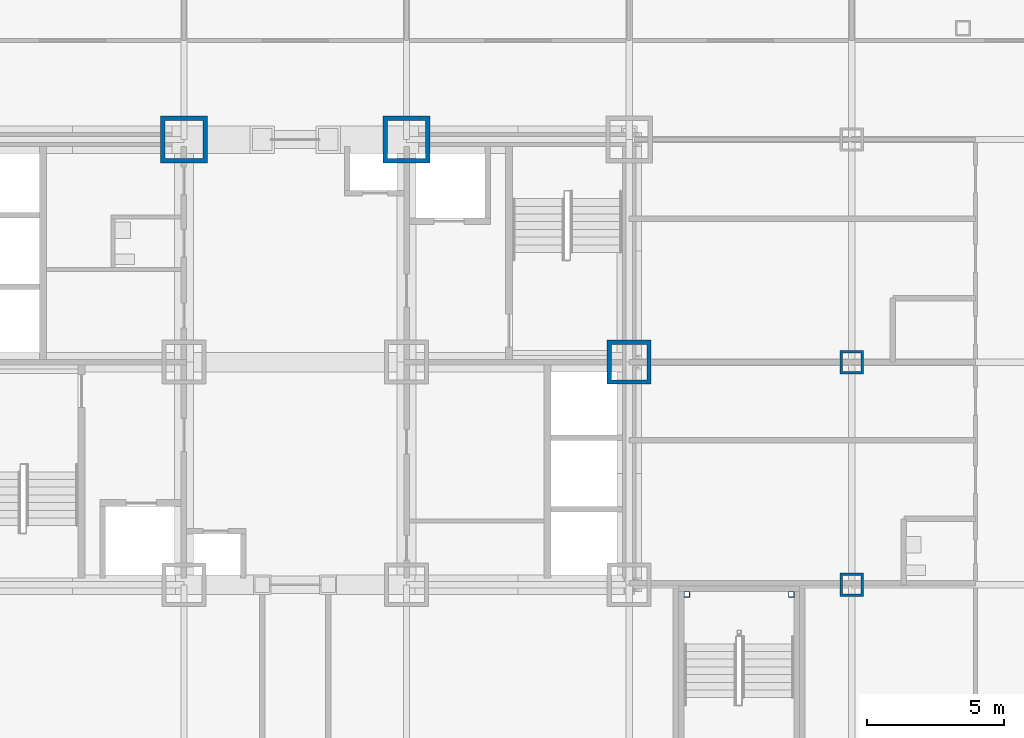
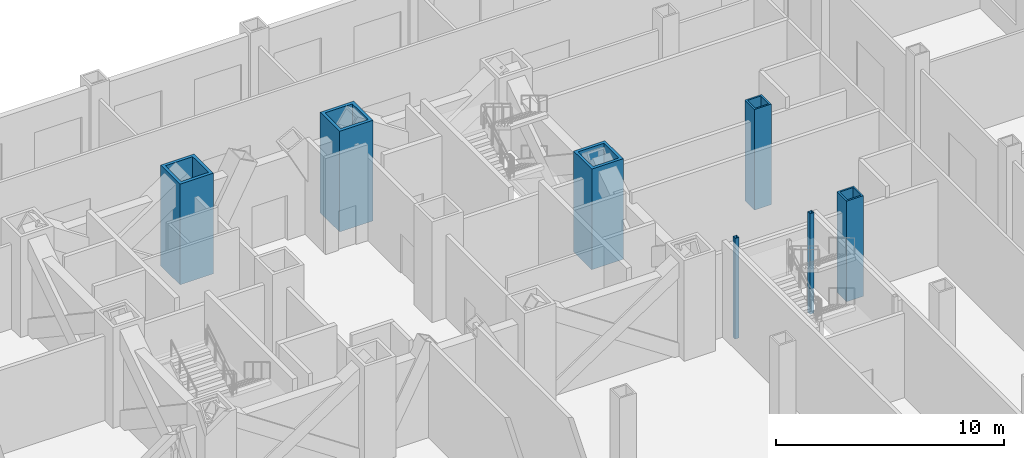
# One storey, part 7 of 30: 7 columns.
"""IFC4 building model written with IfcOpenShell, lengths in metres."""

from ifc_helpers import new_model, si_unit, direction, frame, origin, origin_2d, place, context, subcontext, project, spatial, hollow_rectangle, extrude, material, material_profile, profile_set, type_object, element, save


model = new_model("IFC4")

# Units and contexts
model_context = context("Model", 3, precision=1e-05, world=origin(), true_north=direction((0.0, 1.0)))
body_context = subcontext(model_context, "Body", "Model", "MODEL_VIEW")
ifc_project = project(units=[si_unit("LENGTHUNIT", "METRE"), si_unit("AREAUNIT", "SQUARE_METRE"), si_unit("VOLUMEUNIT", "CUBIC_METRE"), si_unit("PLANEANGLEUNIT", "RADIAN"), si_unit("MASSUNIT", "GRAM", prefix="KILO")], contexts=[model_context])

# Site, building, storey
site_placement = place(None, origin())
site = spatial("IfcSite", under=ifc_project, at=site_placement, CompositionType="ELEMENT")
building_placement = place(site_placement, origin())
building = spatial("IfcBuilding", under=site, at=building_placement, Name="Kopane Lantern Tower", CompositionType="ELEMENT")
storey_placement = place(building_placement, frame((0.0, 0.0, 6.0)))
storey = spatial("IfcBuildingStorey", under=building, at=storey_placement, Name="L01", CompositionType="ELEMENT", Elevation=6.0)

# Columns
ifc_material_1 = material(Name="Steel S355JR", Category="steel")
ifc_material_profile_1 = material_profile(ifc_material_1, hollow_rectangle(XDim=1.60009765625, YDim=1.60009765625, WallThickness=0.14990234375, at=origin_2d()), Name="BOX 1600x1600x150")
ifc_profile_set_1 = profile_set([ifc_material_profile_1], Name="Steel S355JR")
column_type_1 = type_object("IfcColumnType", Name="COLUMN BOX 1600x1600x150", PredefinedType="COLUMN", material=ifc_profile_set_1)
column_placement = place(storey_placement, frame((40.5, 32.39990234375, 0.0), z_axis=(0.0, 0.0, 1.0), x_axis=(1.0, 0.0, 0.0)))
element("IfcColumn", 1, at=column_placement, inside=storey, type_object=column_type_1, Name="Column 7/F L01", PredefinedType="COLUMN", context=body_context, shape_type="SweptSolid", body=[
    extrude(hollow_rectangle(XDim=1.60009765625, YDim=1.60009765625, WallThickness=0.14990234375, at=origin_2d()), origin(), (0.0, 0.0, 1.0), 5.39990234375),
])
ifc_material_2 = material(Name="Steel S355JR", Category="steel")
ifc_material_profile_2 = material_profile(ifc_material_2, hollow_rectangle(XDim=1.699951171875, YDim=1.699951171875, WallThickness=0.159912109375, at=origin_2d()), Name="BOX 1700x1700x160")
ifc_profile_set_2 = profile_set([ifc_material_profile_2], Name="Steel S355JR")
column_type_2 = type_object("IfcColumnType", Name="COLUMN BOX 1700x1700x160", PredefinedType="COLUMN", material=ifc_profile_set_2)
for number, where, z_axis, x_axis, name in (
    (2, (24.300048828125, 40.5, 0.0), (0.0, 0.0, 1.0), (1.0, 0.0, 0.0), "Column 5/G L01"),
    (3, (32.39990234375, 40.5, 0.0), (0.0, 0.0, 1.0), (1.0, 0.0, 0.0), "Column 6/G L01"),
):
    element("IfcColumn", number, at=place(storey_placement, frame(where, z_axis=z_axis, x_axis=x_axis)), inside=storey, type_object=column_type_2, Name=name, PredefinedType="COLUMN", context=body_context, shape_type="SweptSolid", body=[
        extrude(hollow_rectangle(XDim=1.699951171875, YDim=1.699951171875, WallThickness=0.159912109375, at=origin_2d()), origin(), (0.0, 0.0, 1.0), 5.39990234375),
    ])
ifc_material_3 = material(Name="Steel S355JR", Category="steel")
ifc_material_profile_3 = material_profile(ifc_material_3, hollow_rectangle(XDim=0.85009765625, YDim=0.85009765625, WallThickness=0.0849609375, at=origin_2d()), Name="BOX 850x850x85")
ifc_profile_set_3 = profile_set([ifc_material_profile_3], Name="Steel S355JR")
column_type_3 = type_object("IfcColumnType", Name="COLUMN BOX 850x850x85", PredefinedType="COLUMN", material=ifc_profile_set_3)
for number, where, z_axis, x_axis, name in (
    (4, (48.60009765625, 24.300048828125, 0.0), (0.0, 0.0, 1.0), (1.0, 0.0, 0.0), "Column 8/E L01"),
    (5, (48.60009765625, 32.39990234375, 0.0), (0.0, 0.0, 1.0), (1.0, 0.0, 0.0), "Column 8/F L01"),
):
    element("IfcColumn", number, at=place(storey_placement, frame(where, z_axis=z_axis, x_axis=x_axis)), inside=storey, type_object=column_type_3, Name=name, PredefinedType="COLUMN", context=body_context, shape_type="SweptSolid", body=[
        extrude(hollow_rectangle(XDim=0.85009765625, YDim=0.85009765625, WallThickness=0.0849609375, at=origin_2d()), origin(), (0.0, 0.0, 1.0), 5.39990234375),
    ])
ifc_material_4 = material(Name="Steel S355JR", Category="steel")
ifc_material_profile_4 = material_profile(ifc_material_4, hollow_rectangle(XDim=0.199951171875, YDim=0.199951171875, WallThickness=0.011962890625, at=origin_2d()), Name="BOX 200x200x12")
ifc_profile_set_4 = profile_set([ifc_material_profile_4], Name="Steel S355JR")
column_type_4 = type_object("IfcColumnType", Name="STAIR POST BOX 200x200x12", PredefinedType="COLUMN", material=ifc_profile_set_4)
for number, where, z_axis, x_axis, name in (
    (6, (42.60009765625, 23.949951171875, 0.0), (0.0, 0.0, 1.0), (1.0, 0.0, 0.0), "Stair post ST4 NW L01"),
    (7, (46.39990234375, 23.949951171875, 0.0), (0.0, 0.0, 1.0), (1.0, 0.0, 0.0), "Stair post ST4 NE L01"),
):
    element("IfcColumn", number, at=place(storey_placement, frame(where, z_axis=z_axis, x_axis=x_axis)), inside=storey, type_object=column_type_4, Name=name, PredefinedType="COLUMN", context=body_context, shape_type="SweptSolid", body=[
        extrude(hollow_rectangle(XDim=0.199951171875, YDim=0.199951171875, WallThickness=0.011962890625, at=origin_2d()), origin(), (0.0, 0.0, 1.0), 5.39990234375),
    ])

save(model, "model.ifc")
